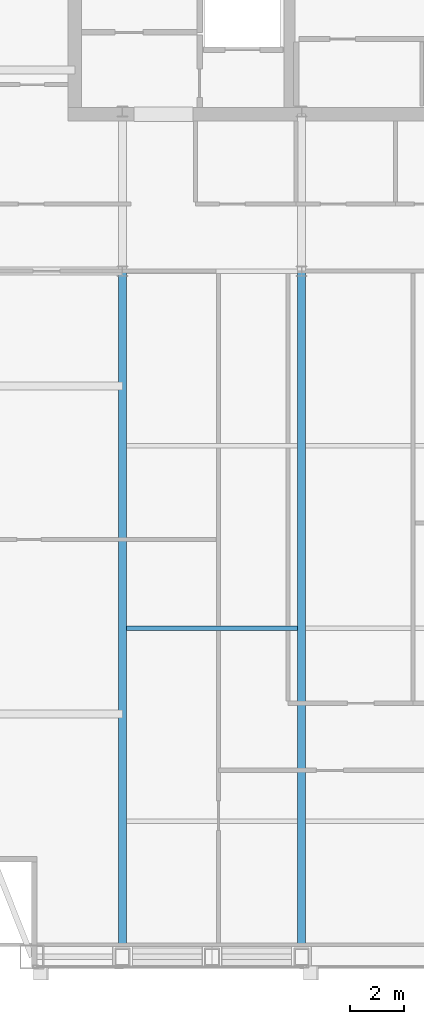
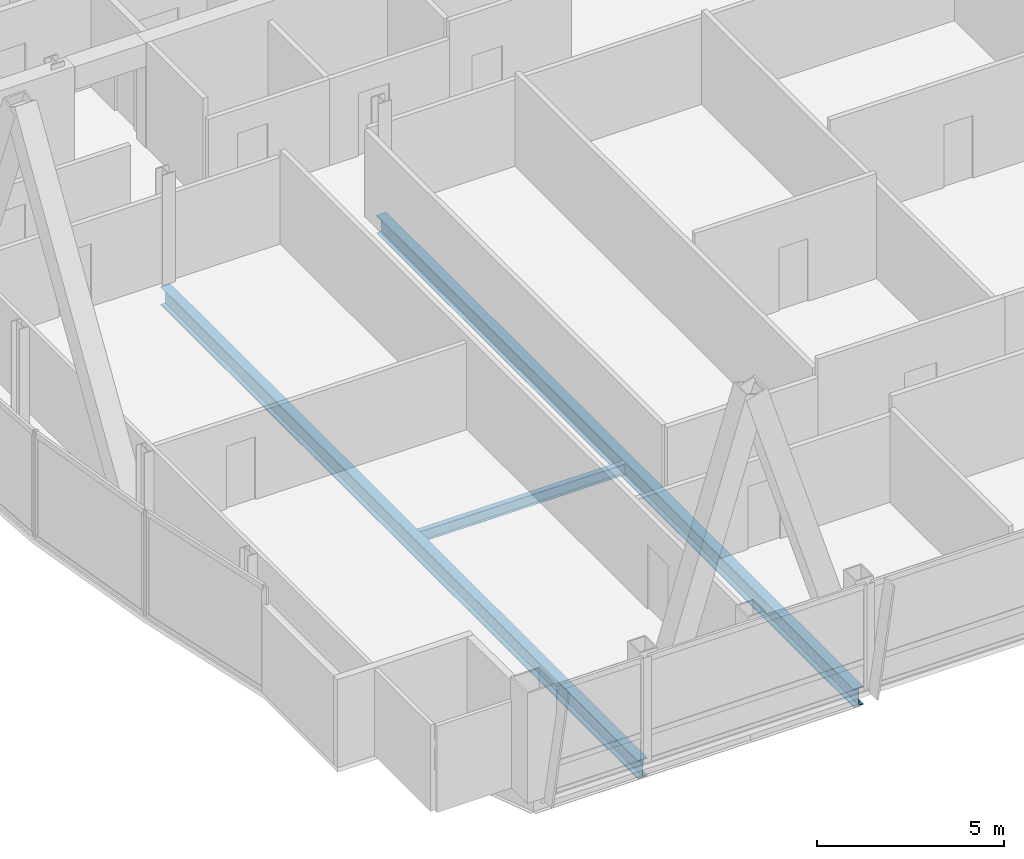
# One storey, part 6 of 29: 3 beams.
"""IFC4 building model written with IfcOpenShell, lengths in metres."""

import ifcopenshell
import ifcopenshell.guid

model = None  # the IFC model being written
_history = None  # IfcOwnerHistory: only IFC2X3 demands one
_inside = {}  # id of a spatial element -> (the spatial element, [elements in it])
_under = {}  # id of a project, library or spatial element -> (it, [spatial elements below it])
_declared = {}  # id of a project -> (the project, [libraries it declares])
_typed = {}  # id of a type object -> (the type object, [elements of that type])
_made_of = {}  # id of a material, layer set ... -> (it, [elements and type objects made of it])


def new_model(schema):
    """Start an empty IFC model of exactly this schema.

    Asked for "IFC4X3", IfcOpenShell would pick the latest addendum, in which some entities
    have other attributes; the version numbers below select the first issue.
    IFC2X3 requires an IfcOwnerHistory on every rooted entity: one is made here for all.
    """
    global model, _history
    if schema == "IFC4X3":
        model = ifcopenshell.file(schema_version=(4, 3, 0, 0))
    else:
        model = ifcopenshell.file(schema=schema)
    _inside.clear()
    _under.clear()
    _declared.clear()
    _typed.clear()
    _made_of.clear()
    _history = None
    if model.schema == "IFC2X3":
        org = make("IfcOrganization", Name="unknown")
        user = make(
            "IfcPersonAndOrganization",
            ThePerson=make("IfcPerson", FamilyName="unknown"),
            TheOrganization=org,
        )
        app = make(
            "IfcApplication",
            ApplicationDeveloper=org,
            Version="unknown",
            ApplicationFullName="unknown",
            ApplicationIdentifier="unknown",
        )
        _history = make(
            "IfcOwnerHistory",
            OwningUser=user,
            OwningApplication=app,
            ChangeAction="ADDED",
            CreationDate=0,
        )
    return model


def make(cls, **values):
    """One entity of the class cls with the attributes given. An attribute that is None is left unset."""
    return model.create_entity(
        cls, **{name: value for name, value in values.items() if value is not None}
    )


def rooted(cls, **values):
    """An entity with a GlobalId (a new one), such as an element, a storey or a relation."""
    return make(cls, GlobalId=ifcopenshell.guid.new(), OwnerHistory=_history, **values)


def si_unit(unit_type, name, prefix=None):
    """IfcSIUnit, for example si_unit("LENGTHUNIT", "METRE", prefix="MILLI")."""
    return make("IfcSIUnit", UnitType=unit_type, Prefix=prefix, Name=name)


def assignment(units):
    """IfcUnitAssignment: the units of a project."""
    return None if units is None else make("IfcUnitAssignment", Units=units)


def point(xyz):
    """IfcCartesianPoint."""
    return None if xyz is None else make("IfcCartesianPoint", Coordinates=xyz)


def direction(xyz):
    """IfcDirection."""
    return None if xyz is None else make("IfcDirection", DirectionRatios=xyz)


def frame(location, z_axis=None, x_axis=None):
    """IfcAxis2Placement3D, a coordinate frame: its origin and axes. An axis left out is left unset."""
    return make(
        "IfcAxis2Placement3D",
        Location=point(location),
        Axis=direction(z_axis),
        RefDirection=direction(x_axis),
    )


def frame_2d(location, x_axis=None):
    """IfcAxis2Placement2D, a coordinate frame in the plane: its origin and x axis."""
    return make(
        "IfcAxis2Placement2D", Location=point(location), RefDirection=direction(x_axis)
    )


def origin():
    """The frame at (0, 0, 0) with its axes left unset."""
    return frame((0.0, 0.0, 0.0))


def origin_2d():
    """The frame at (0, 0) in the plane with its x axis left unset."""
    return frame_2d((0.0, 0.0))


def place(relative_to, where):
    """IfcLocalPlacement: puts the frame where relative to a parent placement (None: the world)."""
    return make(
        "IfcLocalPlacement", PlacementRelTo=relative_to, RelativePlacement=where
    )


def context(
    kind, dimensions, precision=None, world=None, true_north=None, identifier=None
):
    """IfcGeometricRepresentationContext, for example the 3D "Model" context."""
    return make(
        "IfcGeometricRepresentationContext",
        ContextIdentifier=identifier,
        ContextType=kind,
        CoordinateSpaceDimension=dimensions,
        Precision=precision,
        WorldCoordinateSystem=world,
        TrueNorth=true_north,
    )


def subcontext(parent, identifier, kind, view, scale=None):
    """IfcGeometricRepresentationSubContext, for example "Body" below "Model"."""
    return make(
        "IfcGeometricRepresentationSubContext",
        ContextIdentifier=identifier,
        ContextType=kind,
        ParentContext=parent,
        TargetScale=scale,
        TargetView=view,
    )


def project(units=None, contexts=None):
    """IfcProject with its units and contexts."""
    return rooted(
        "IfcProject",
        Name="project",
        RepresentationContexts=contexts,
        UnitsInContext=assignment(units),
    )


def spatial(cls, under=None, at=None, **own):
    """A site, building, storey or space (cls), placed at a placement, below another one or the project."""
    s = rooted(cls, ObjectPlacement=at, **own)
    if under is not None:
        _under.setdefault(under.id(), (under, []))[1].append(s)
    return s


def profile(cls, at=None, kind="AREA", **sizes):
    """A parametric profile (cls). Its sizes go by their IFC names, for example OverallWidth=200.0."""
    return make(cls, ProfileType=kind, Position=at, **sizes)


def i_section(**sizes):
    """IfcIShapeProfileDef."""
    return profile("IfcIShapeProfileDef", **sizes)


def extrude(swept, where, along, depth):
    """IfcExtrudedAreaSolid: the profile swept, set in the frame where, extruded along a direction by depth."""
    return make(
        "IfcExtrudedAreaSolid",
        SweptArea=swept,
        Position=where,
        ExtrudedDirection=direction(along),
        Depth=depth,
    )


def shape(context_of_items, identifier, shape_type, items):
    """IfcShapeRepresentation: the items that make up one representation, for example the "Body"."""
    return make(
        "IfcShapeRepresentation",
        ContextOfItems=context_of_items,
        RepresentationIdentifier=identifier,
        RepresentationType=shape_type,
        Items=items,
    )


def material(Name=None, Category=None):
    """IfcMaterial."""
    return make("IfcMaterial", Name=Name, Category=Category)


def material_profile(
    of_material, cross_section, Name=None, Category=None, Priority=None
):
    """IfcMaterialProfile: a cross section and its material."""
    return make(
        "IfcMaterialProfile",
        Name=Name,
        Material=of_material,
        Profile=cross_section,
        Priority=Priority,
        Category=Category,
    )


def profile_set(profiles, Name=None, composite=None):
    """IfcMaterialProfileSet."""
    return make(
        "IfcMaterialProfileSet",
        Name=Name,
        MaterialProfiles=profiles,
        CompositeProfile=composite,
    )


def made_of(thing, what):
    """Note that an element or type object is made of a material, layer set ...; save() writes the relation."""
    if what is not None:
        _made_of.setdefault(what.id(), (what, []))[1].append(thing)
    return thing


def type_object(cls, material=None, **own):
    """A type object (cls), such as IfcWallType, which elements share."""
    return made_of(rooted(cls, **own), material)


def element(
    cls,
    number,
    at=None,
    inside=None,
    cuts=None,
    type_object=None,
    material=None,
    context=None,
    identifier="Body",
    shape_type=None,
    held_by="IfcProductDefinitionShape",
    body=None,
    shapes=None,
    **own,
):
    """One element of the class cls, such as IfcWall. Its Tag is "e" and its number.

    at: its placement. inside: the storey or other place that contains it. cuts: it is an
    opening in that element (IfcRelVoidsElement). A single representation is given by context,
    identifier, shape_type and body (its items); several are given by shapes. held_by: the class
    of the entity that holds the representations. save() writes the other relations.
    """
    e = rooted(cls, Tag="e%d" % number, ObjectPlacement=at, **own)
    if body is not None:
        shapes = [shape(context, identifier, shape_type, body)]
    if shapes is not None:
        e.Representation = make(held_by, Representations=shapes)
    if inside is not None:
        _inside.setdefault(inside.id(), (inside, []))[1].append(e)
    if cuts is not None:
        rooted(
            "IfcRelVoidsElement", RelatingBuildingElement=cuts, RelatedOpeningElement=e
        )
    if type_object is not None:
        _typed.setdefault(type_object.id(), (type_object, []))[1].append(e)
    return made_of(e, material)


def aggregate(whole, parts):
    """IfcRelAggregates: a whole, such as a stair, and the parts it consists of."""
    return rooted("IfcRelAggregates", RelatingObject=whole, RelatedObjects=parts)


def save(model, path):
    """Write the relations noted so far, then the file.

    IfcRelAggregates (storeys below a building ...), IfcRelContainedInSpatialStructure (elements
    in a storey), IfcRelDefinesByType, IfcRelAssociatesMaterial and IfcRelDeclares: one each for
    every whole, place, type object, material and project.
    """
    for whole, parts in _under.values():
        aggregate(whole, parts)
    for where, things in _inside.values():
        rooted(
            "IfcRelContainedInSpatialStructure",
            RelatedElements=things,
            RelatingStructure=where,
        )
    for kind, things in _typed.values():
        rooted("IfcRelDefinesByType", RelatedObjects=things, RelatingType=kind)
    for what, things in _made_of.values():
        rooted("IfcRelAssociatesMaterial", RelatedObjects=things, RelatingMaterial=what)
    for by, libraries in _declared.values():
        rooted("IfcRelDeclares", RelatingContext=by, RelatedDefinitions=libraries)
    model.write(path)


model = new_model("IFC4")

# Units and contexts
model_context = context("Model", 3, precision=1e-05, world=origin(), true_north=direction((0.0, 1.0)))
body_context = subcontext(model_context, "Body", "Model", "MODEL_VIEW")
ifc_project = project(units=[si_unit("LENGTHUNIT", "METRE"), si_unit("AREAUNIT", "SQUARE_METRE"), si_unit("VOLUMEUNIT", "CUBIC_METRE"), si_unit("PLANEANGLEUNIT", "RADIAN"), si_unit("MASSUNIT", "GRAM", prefix="KILO")], contexts=[model_context])

# Site, building, storey
site_placement = place(None, origin())
site = spatial("IfcSite", under=ifc_project, at=site_placement, CompositionType="ELEMENT")
building_placement = place(site_placement, origin())
building = spatial("IfcBuilding", under=site, at=building_placement, Name="Khoronbel Lancet Exchange", CompositionType="ELEMENT")
storey_placement = place(building_placement, frame((0.0, 0.0, 314.60009765625)))
storey = spatial("IfcBuildingStorey", under=building, at=storey_placement, Name="L81", CompositionType="ELEMENT", Elevation=314.60009765625)

# Beams
ifc_material = material(Name="Steel S355", Category="steel")
ifc_material_profile_1 = material_profile(ifc_material, i_section(OverallWidth=0.300048828125, OverallDepth=0.60009765625, WebThickness=0.015380859375, FlangeThickness=0.030029296875, at=origin_2d()), Name="HEB 600")
ifc_profile_set_1 = profile_set([ifc_material_profile_1], Name="Steel S355")
beam_type_1 = type_object("IfcBeamType", Name="BM-BG5", PredefinedType="BEAM", material=ifc_profile_set_1)
for number, where, z_axis, x_axis, name in (
    (1, (18.22509765625, 10.14990234375, -0.460205078125), (0.0, 1.0, 0.0), (-1.0, 0.0, 0.0), "Level L81 south primary girder GS1"),
    (2, (24.89990234375, 10.14990234375, -0.460205078125), (0.0, 1.0, 0.0), (-1.0, 0.0, 0.0), "Level L81 south primary girder GS2"),
):
    element("IfcBeam", number, at=place(storey_placement, frame(where, z_axis=z_axis, x_axis=x_axis)), inside=storey, type_object=beam_type_1, Name=name, PredefinedType="BEAM", context=body_context, shape_type="SweptSolid", body=[
        extrude(i_section(OverallWidth=0.300048828125, OverallDepth=0.60009765625, WebThickness=0.015380859375, FlangeThickness=0.030029296875, at=origin_2d()), origin(), (0.0, 0.0, 1.0), 25.550048828125),
    ])
ifc_material_profile_2 = material_profile(ifc_material, i_section(OverallWidth=0.169921875, OverallDepth=0.360107421875, WebThickness=0.008056640625, FlangeThickness=0.0126953125, at=origin_2d()), Name="IPE 360")
ifc_profile_set_2 = profile_set([ifc_material_profile_2], Name="Steel S355")
beam_type_2 = type_object("IfcBeamType", Name="BM-BJ6", PredefinedType="JOIST", material=ifc_profile_set_2)
beam_placement = place(storey_placement, frame((18.375, 22.39990234375, -0.340087890625), z_axis=(1.0, 0.0, 0.0), x_axis=(0.0, 1.0, 0.0)))
element("IfcBeam", 3, at=beam_placement, inside=storey, type_object=beam_type_2, Name="Level L81 secondary composite joist J04", PredefinedType="JOIST", context=body_context, shape_type="SweptSolid", body=[
    extrude(i_section(OverallWidth=0.169921875, OverallDepth=0.360107421875, WebThickness=0.008056640625, FlangeThickness=0.0126953125, at=origin_2d()), origin(), (0.0, 0.0, 1.0), 6.375),
])

save(model, "model.ifc")
